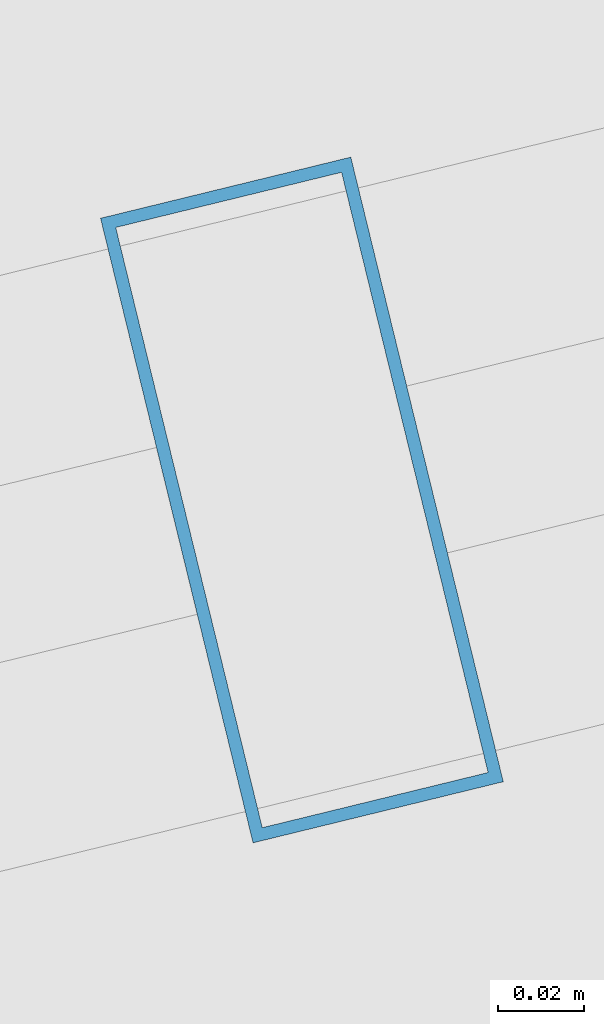
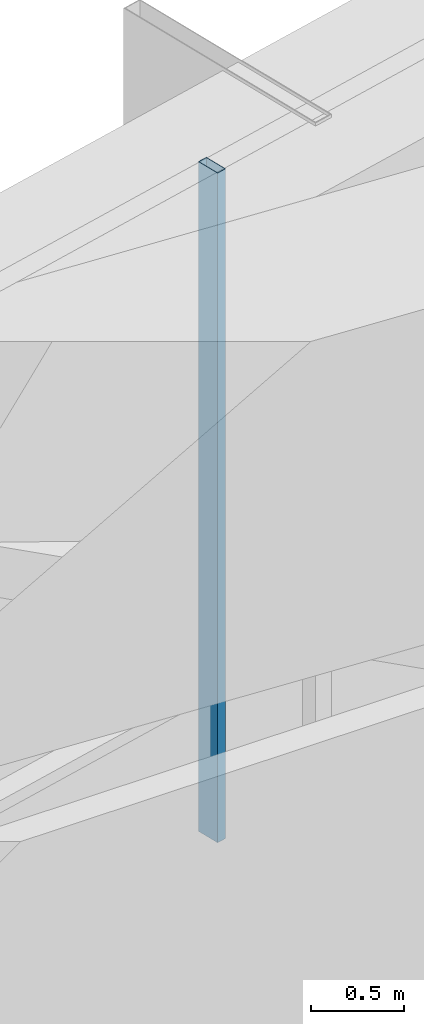
# One storey, part 29 of 39: 1 member, 1 element without a shape of its own.
"""IFC4 building model written with IfcOpenShell, lengths in metres."""

from ifc_helpers import new_model, si_unit, direction, frame, origin, origin_2d, place, context, subcontext, project, spatial, hollow_rectangle, extrude, source, transform, mapped, material, layer, layer_set, material_profile, profile_set, type_object, element, aggregate, save


model = new_model("IFC4")

# Units and contexts
model_context = context("Model", 3, precision=1e-05, world=origin(), true_north=direction((0.0, 1.0)))
body_context = subcontext(model_context, "Body", "Model", "MODEL_VIEW")
ifc_project = project(units=[si_unit("LENGTHUNIT", "METRE"), si_unit("AREAUNIT", "SQUARE_METRE"), si_unit("VOLUMEUNIT", "CUBIC_METRE"), si_unit("PLANEANGLEUNIT", "RADIAN"), si_unit("MASSUNIT", "GRAM", prefix="KILO")], contexts=[model_context])

# Site, building, storey
site_placement = place(None, origin())
site = spatial("IfcSite", under=ifc_project, at=site_placement, CompositionType="ELEMENT")
building_placement = place(site_placement, origin())
building = spatial("IfcBuilding", under=site, at=building_placement, Name="Veraguas Prism Commons", CompositionType="ELEMENT")
storey_placement = place(building_placement, frame((0.0, 0.0, 264.25)))
storey = spatial("IfcBuildingStorey", under=building, at=storey_placement, Name="L75", CompositionType="ELEMENT", Elevation=264.25)

# Curtain wall, member
ifc_material = material(Name="Anodised aluminium EN AW-6063 T6", Category="aluminium")
ifc_layer = layer(ifc_material, 0.14990234375, Name="Unitised Flush Curtain Wall Zone 4", Category="aluminium")
ifc_layer_set = layer_set([ifc_layer], Name="Anodised aluminium EN AW-6063 T6")
curtain_wall_type = type_object("IfcCurtainWallType", Name="Unitised Flush Curtain Wall Zone 4", PredefinedType="NOTDEFINED", material=ifc_layer_set)
curtain_wall_placement = place(storey_placement, origin())
curtain_wall = element("IfcCurtainWall", 1, at=curtain_wall_placement, inside=storey, type_object=curtain_wall_type, Name="Tower Facade Curtain Wall L75-F2", PredefinedType="NOTDEFINED")
ifc_material_profile = material_profile(ifc_material, hollow_rectangle(XDim=0.06005859375, YDim=0.14990234375, WallThickness=0.0029296875, at=origin_2d()), Name="AL60X150X3")
ifc_profile_set = profile_set([ifc_material_profile], Name="Anodised aluminium EN AW-6063 T6")
member_type = type_object("IfcMemberType", Name="Curtain Wall Mullion Upper AL 60x150x3", PredefinedType="MULLION", material=ifc_profile_set)
shared_shape = source(origin(), body_context, "Body", "SweptSolid", [
    extrude(hollow_rectangle(XDim=0.06005859375, YDim=0.14990234375, WallThickness=0.0029296875, at=origin_2d()), origin(), (0.0, 0.0, 1.0), 4.389892578125),
])
member_placement = place(storey_placement, frame((16.51123046875, 39.109375, 0.0), z_axis=(0.0, 0.0, 1.0), x_axis=(-0.97146556079, -0.237180657305, 0.0)))
member = element("IfcMember", 2, at=member_placement, type_object=member_type, Name="CW-Z4 Mullion 4", PredefinedType="MULLION", context=body_context, shape_type="MappedRepresentation", body=[
    mapped(shared_shape, transform((0.0, 0.0, 0.0), scale=1.0)),
])
aggregate(curtain_wall, [member])

save(model, "model.ifc")
